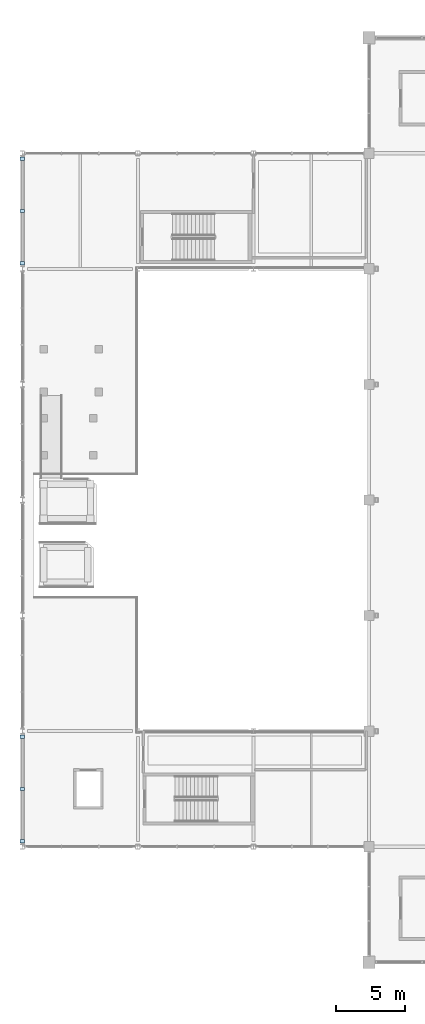
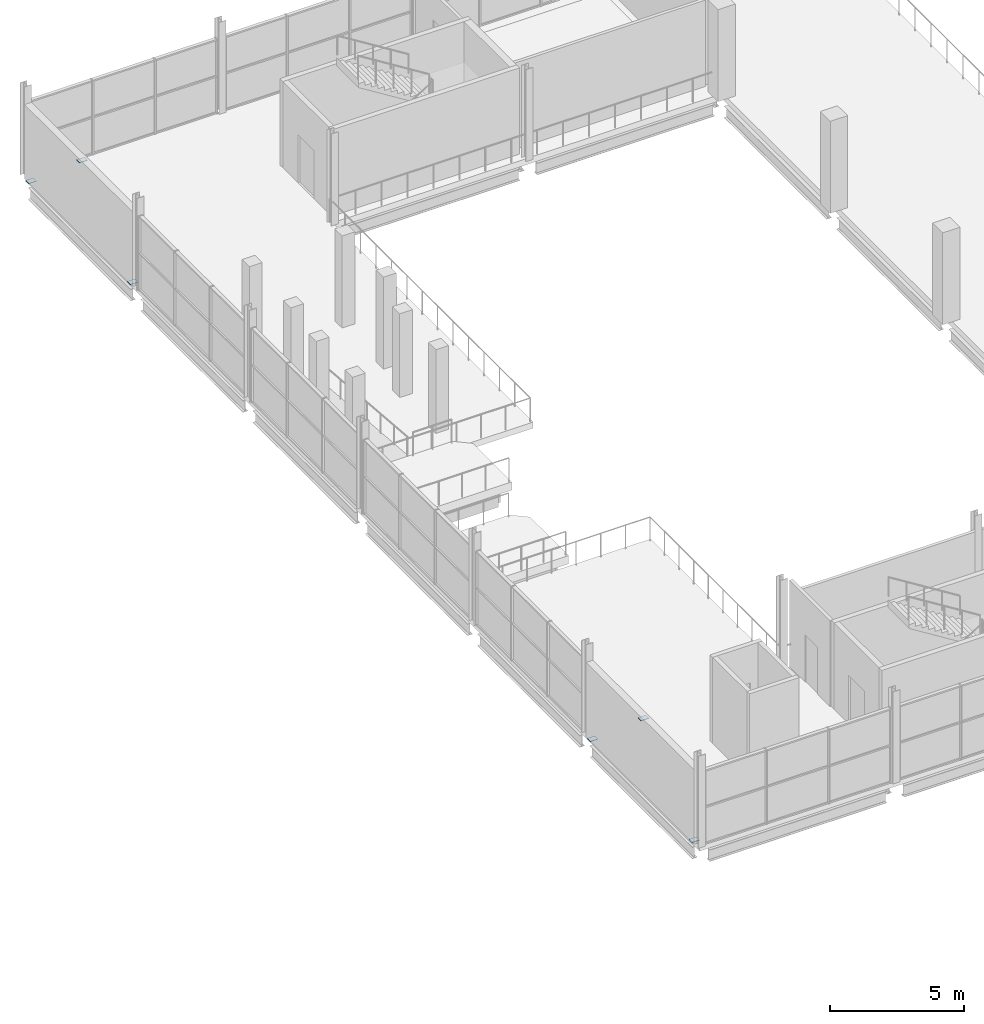
# One storey, part 132 of 161: 6 plates.
"""IFC4 building model written with IfcOpenShell, lengths in metres."""

from ifc_helpers import new_model, si_unit, direction, frame, origin, origin_2d, place, context, subcontext, project, spatial, rectangle, extrude, material, layer, layer_set, type_object, element, save


model = new_model("IFC4")

# Units and contexts
model_context = context("Model", 3, precision=1e-05, world=origin(), true_north=direction((0.0, 1.0)))
body_context = subcontext(model_context, "Body", "Model", "MODEL_VIEW")
ifc_project = project(units=[si_unit("LENGTHUNIT", "METRE"), si_unit("AREAUNIT", "SQUARE_METRE"), si_unit("VOLUMEUNIT", "CUBIC_METRE"), si_unit("PLANEANGLEUNIT", "RADIAN"), si_unit("MASSUNIT", "GRAM", prefix="KILO"), si_unit("THERMODYNAMICTEMPERATUREUNIT", "KELVIN")], contexts=[model_context])

# Site, building, storey
site_placement = place(None, origin())
site = spatial("IfcSite", under=ifc_project, at=site_placement, CompositionType="ELEMENT")
building_placement = place(site_placement, origin())
building = spatial("IfcBuilding", under=site, at=building_placement, Name="Nduvali Passage Aquatics Centre", CompositionType="ELEMENT")
storey_placement = place(building_placement, frame((0.0, 0.0, 4.800048828125)))
storey = spatial("IfcBuildingStorey", under=building, at=storey_placement, Name="L01", CompositionType="ELEMENT", Elevation=4.800048828125)

# Plates
ifc_material = material(Name="Steel S355", Category="steel")
ifc_layer = layer(ifc_material, 0.01611328125, Name="Steel S355")
ifc_layer_set = layer_set([ifc_layer], Name="Steel S355")
plate_type = type_object("IfcPlateType", Name="STR-PLT-CAP1", PredefinedType="SHEET", material=ifc_layer_set)
for number, where, z_axis, x_axis, name in (
    (1, (0.0, 37.800048828125, 3.241943359375), (0.0, 0.0, 1.0), (1.0, 0.0, 0.0), "L01 Chevron Apex Gusset Plate 02"),
    (2, (0.0, 34.0, -0.008056640625), (0.0, 0.0, 1.0), (1.0, 0.0, 0.0), "L01 Brace Foot Gusset Plate 0157"),
    (3, (0.0, 41.60009765625, -0.008056640625), (0.0, 0.0, 1.0), (1.0, 0.0, 0.0), "L01 Brace Foot Gusset Plate 0158"),
    (4, (0.0, 79.800048828125, 3.241943359375), (0.0, 0.0, 1.0), (1.0, 0.0, 0.0), "L01 Chevron Apex Gusset Plate 04"),
    (5, (0.0, 76.0, -0.008056640625), (0.0, 0.0, 1.0), (1.0, 0.0, 0.0), "L01 Brace Foot Gusset Plate 0163"),
    (6, (0.0, 83.60009765625, -0.008056640625), (0.0, 0.0, 1.0), (1.0, 0.0, 0.0), "L01 Brace Foot Gusset Plate 0164"),
):
    element("IfcPlate", number, at=place(storey_placement, frame(where, z_axis=z_axis, x_axis=x_axis)), inside=storey, type_object=plate_type, Name=name, PredefinedType="SHEET", context=body_context, shape_type="SweptSolid", body=[
        extrude(rectangle(XDim=0.340087890625, YDim=0.239990234375, at=origin_2d()), origin(), (0.0, 0.0, 1.0), 0.01611328125),
    ])

save(model, "model.ifc")
